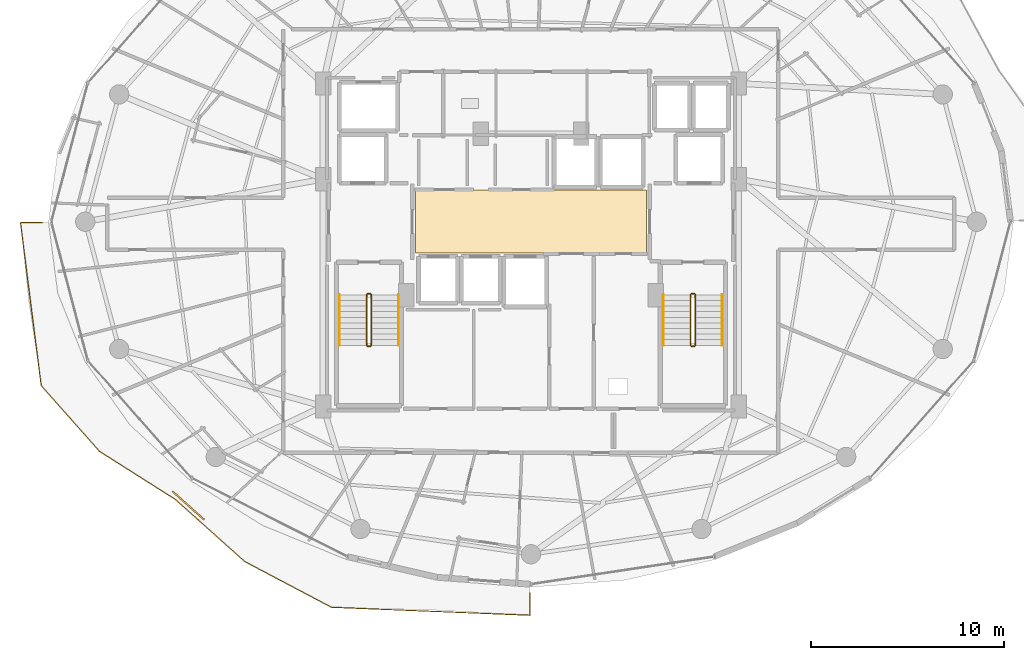
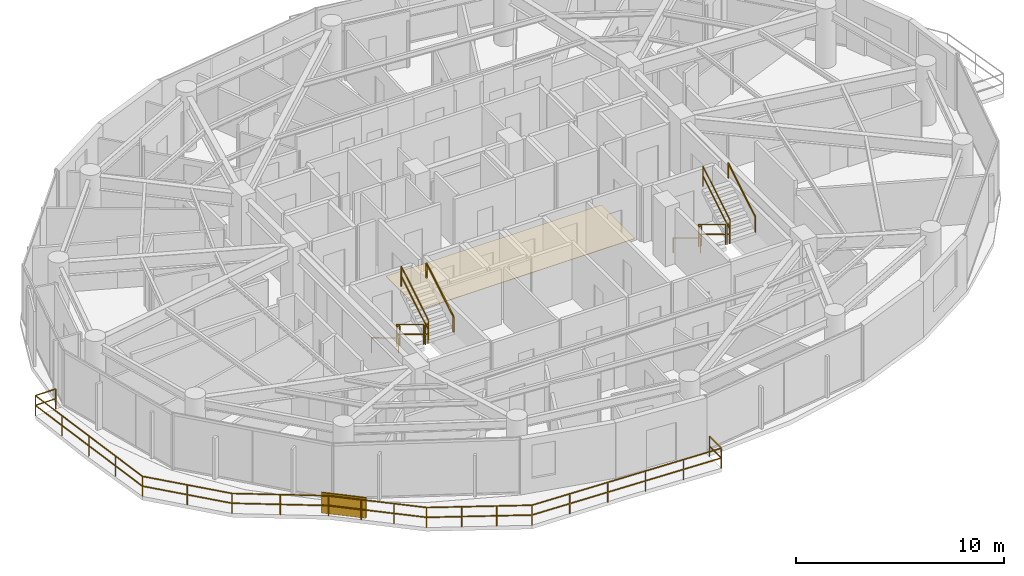
# One storey, part 26 of 28: 14 railings, 1 covering, 1 shading device.
"""IFC4 building model written with IfcOpenShell, lengths in metres."""

from ifc_helpers import new_model, si_unit, direction, frame, origin, origin_2d, place, context, subcontext, project, spatial, polyline, rectangle, outline, extrude, material, layer, layer_set, type_object, element, save


model = new_model("IFC4")

# Units and contexts
model_context = context("Model", 3, precision=1e-05, world=origin(), true_north=direction((0.0, 1.0)))
body_context = subcontext(model_context, "Body", "Model", "MODEL_VIEW")
ifc_project = project(units=[si_unit("LENGTHUNIT", "METRE"), si_unit("AREAUNIT", "SQUARE_METRE"), si_unit("VOLUMEUNIT", "CUBIC_METRE"), si_unit("PLANEANGLEUNIT", "RADIAN"), si_unit("MASSUNIT", "GRAM", prefix="KILO")], contexts=[model_context])

# Site, building, storey
site_placement = place(None, origin())
site = spatial("IfcSite", under=ifc_project, at=site_placement, CompositionType="ELEMENT")
building_placement = place(site_placement, origin())
building = spatial("IfcBuilding", under=site, at=building_placement, Name="Vorneva Point Tower", CompositionType="ELEMENT")
storey_placement = place(building_placement, frame((0.0, 0.0, 146.60009765625)))
storey = spatial("IfcBuildingStorey", under=building, at=storey_placement, Name="L39", CompositionType="ELEMENT", Elevation=146.60009765625)

# Covering
ifc_material_1 = material(Name="Acoustic wool hospitality carpet", Category="textile")
ifc_layer = layer(ifc_material_1, 0.01806640625)
ifc_layer_set = layer_set([ifc_layer], Name="Acoustic wool hospitality carpet")
covering_type = type_object("IfcCoveringType", Name="COV-FLR-CRP", PredefinedType="FLOORING", material=ifc_layer_set)
covering_placement = place(storey_placement, frame((0.0, 0.0, -0.005126953125)))
element("IfcCovering", 1, at=covering_placement, inside=storey, type_object=covering_type, Name="L39 Lift Lobby Floor Finish", PredefinedType="FLOORING", context=body_context, shape_type="SweptSolid", body=[
    extrude(outline(polyline([(32.02001953125, 24.3701171875), (43.97998046875, 24.3701171875), (43.97998046875, 27.6298828125), (32.02001953125, 27.6298828125), (32.02001953125, 24.3701171875)])), origin(), (0.0, 0.0, 1.0), 0.02294921875),
])

# Railings
ifc_material_2 = material(Name="Pale anodised aluminium", Category="aluminium")
railing_type_1 = type_object("IfcRailingType", Name="RL-BAL-1200", PredefinedType="BALUSTRADE", material=ifc_material_2)
railing_1_placement = place(storey_placement, frame((37.949951171875, 5.647705078125, 0.0)))
element("IfcRailing", 2, at=railing_1_placement, inside=storey, type_object=railing_type_1, Name="L39 Wave Balcony Balustrade SW.1", PredefinedType="BALUSTRADE", context=body_context, shape_type="SweptSolid", body=[
    extrude(rectangle(XDim=0.048095703125, YDim=0.048095703125, at=origin_2d()), frame((0.0, 0.0, 1.17578125), z_axis=(0.0, 1.0, 0.0), x_axis=(-1.0, 0.0, 0.0)), (0.0, 0.0, 1.0), 1.135009765625),
    extrude(rectangle(XDim=0.048095703125, YDim=0.048095703125, at=origin_2d()), frame((0.0, 0.0, 0.60009765625), z_axis=(0.0, 1.0, 0.0), x_axis=(-1.0, 0.0, 0.0)), (0.0, 0.0, 1.0), 1.135009765625),
    extrude(rectangle(XDim=0.0419921875, YDim=0.0419921875, at=origin_2d()), origin(), (0.0, 0.0, 1.0), 1.15185546875),
    extrude(rectangle(XDim=0.0419921875, YDim=0.0419921875, at=origin_2d()), frame((0.0, 1.135009765625, 0.0)), (0.0, 0.0, 1.0), 1.15185546875),
])
railing_2_placement = place(storey_placement, frame((12.73388671875, 25.949951171875, 0.0)))
element("IfcRailing", 3, at=railing_2_placement, inside=storey, type_object=railing_type_1, Name="L39 Wave Balcony Balustrade SW.2", PredefinedType="BALUSTRADE", context=body_context, shape_type="SweptSolid", body=[
    extrude(rectangle(XDim=0.048095703125, YDim=0.048095703125, at=origin_2d()), frame((0.0, 0.0, 1.17578125), z_axis=(-1.0, 0.0, 0.0), x_axis=(0.0, -1.0, 0.0)), (0.0, 0.0, 1.0), 1.1337890625),
    extrude(rectangle(XDim=0.048095703125, YDim=0.048095703125, at=origin_2d()), frame((0.0, 0.0, 0.60009765625), z_axis=(-1.0, 0.0, 0.0), x_axis=(0.0, -1.0, 0.0)), (0.0, 0.0, 1.0), 1.1337890625),
    extrude(rectangle(XDim=0.048095703125, YDim=0.048095703125, at=origin_2d()), frame((-1.1337890625, 0.0, 1.17578125), z_axis=(0.126032686267, -0.992026089371, 0.0), x_axis=(0.992026089371, 0.126032686267, 0.0)), (0.0, 0.0, 1.0), 8.49609375),
    extrude(rectangle(XDim=0.048095703125, YDim=0.048095703125, at=origin_2d()), frame((-1.1337890625, 0.0, 0.60009765625), z_axis=(0.126032686267, -0.992026089371, 0.0), x_axis=(0.992026089371, 0.126032686267, 0.0)), (0.0, 0.0, 1.0), 8.49609375),
    extrude(rectangle(XDim=0.048095703125, YDim=0.048095703125, at=origin_2d()), frame((-0.06298828125, -8.428466796875, 1.17578125), z_axis=(0.663743942906, -0.747959877437, 0.0), x_axis=(0.747959877437, 0.663743942906, 0.0)), (0.0, 0.0, 1.0), 4.548583984375),
    extrude(rectangle(XDim=0.048095703125, YDim=0.048095703125, at=origin_2d()), frame((-0.06298828125, -8.428466796875, 0.60009765625), z_axis=(0.663743942906, -0.747959877437, 0.0), x_axis=(0.747959877437, 0.663743942906, 0.0)), (0.0, 0.0, 1.0), 4.548583984375),
    extrude(rectangle(XDim=0.048095703125, YDim=0.048095703125, at=origin_2d()), frame((2.9560546875, -11.83056640625, 1.17578125), z_axis=(0.844638774344, -0.535336661246, 0.0), x_axis=(0.535336661246, 0.844638774344, 0.0)), (0.0, 0.0, 1.0), 4.632568359375),
    extrude(rectangle(XDim=0.048095703125, YDim=0.048095703125, at=origin_2d()), frame((2.9560546875, -11.83056640625, 0.60009765625), z_axis=(0.844638774344, -0.535336661246, 0.0), x_axis=(0.535336661246, 0.844638774344, 0.0)), (0.0, 0.0, 1.0), 4.632568359375),
    extrude(rectangle(XDim=0.048095703125, YDim=0.048095703125, at=origin_2d()), frame((6.868896484375, -14.310546875, 1.17578125), z_axis=(0.745181726232, -0.666861451045, 0.0), x_axis=(0.666861451045, 0.745181726232, 0.0)), (0.0, 0.0, 1.0), 4.822265625),
    extrude(rectangle(XDim=0.048095703125, YDim=0.048095703125, at=origin_2d()), frame((6.868896484375, -14.310546875, 0.60009765625), z_axis=(0.745181726232, -0.666861451045, 0.0), x_axis=(0.666861451045, 0.745181726232, 0.0)), (0.0, 0.0, 1.0), 4.822265625),
    extrude(rectangle(XDim=0.048095703125, YDim=0.048095703125, at=origin_2d()), frame((10.46240234375, -17.5263671875, 1.17578125), z_axis=(0.884464909332, -0.466606712512, 0.0), x_axis=(0.466606712512, 0.884464909332, 0.0)), (0.0, 0.0, 1.0), 5.063232421875),
    extrude(rectangle(XDim=0.048095703125, YDim=0.048095703125, at=origin_2d()), frame((10.46240234375, -17.5263671875, 0.60009765625), z_axis=(0.884464909332, -0.466606712512, 0.0), x_axis=(0.466606712512, 0.884464909332, 0.0)), (0.0, 0.0, 1.0), 5.063232421875),
    extrude(rectangle(XDim=0.048095703125, YDim=0.048095703125, at=origin_2d()), frame((14.940673828125, -19.888916015625, 1.17578125), z_axis=(0.999191945424, -0.040192738158, 0.0), x_axis=(0.040192738158, 0.999191945424, 0.0)), (0.0, 0.0, 1.0), 10.28369140625),
    extrude(rectangle(XDim=0.048095703125, YDim=0.048095703125, at=origin_2d()), frame((14.940673828125, -19.888916015625, 0.60009765625), z_axis=(0.999191945424, -0.040192738158, 0.0), x_axis=(0.040192738158, 0.999191945424, 0.0)), (0.0, 0.0, 1.0), 10.28369140625),
    extrude(rectangle(XDim=0.0419921875, YDim=0.0419921875, at=origin_2d()), origin(), (0.0, 0.0, 1.0), 1.15185546875),
    extrude(rectangle(XDim=0.0419921875, YDim=0.0419921875, at=origin_2d()), frame((-1.1337890625, 0.0, 0.0)), (0.0, 0.0, 1.0), 1.15185546875),
    extrude(rectangle(XDim=0.0419921875, YDim=0.0419921875, at=origin_2d()), frame((-0.8662109375, -2.107177734375, 0.0)), (0.0, 0.0, 1.0), 1.15185546875),
    extrude(rectangle(XDim=0.0419921875, YDim=0.0419921875, at=origin_2d()), frame((-0.598388671875, -4.21435546875, 0.0)), (0.0, 0.0, 1.0), 1.15185546875),
    extrude(rectangle(XDim=0.0419921875, YDim=0.0419921875, at=origin_2d()), frame((-0.33056640625, -6.3212890625, 0.0)), (0.0, 0.0, 1.0), 1.15185546875),
    extrude(rectangle(XDim=0.0419921875, YDim=0.0419921875, at=origin_2d()), frame((-0.06298828125, -8.428466796875, 0.0)), (0.0, 0.0, 1.0), 1.15185546875),
    extrude(rectangle(XDim=0.0419921875, YDim=0.0419921875, at=origin_2d()), frame((1.446533203125, -10.12939453125, 0.0)), (0.0, 0.0, 1.0), 1.15185546875),
    extrude(rectangle(XDim=0.0419921875, YDim=0.0419921875, at=origin_2d()), frame((2.9560546875, -11.83056640625, 0.0)), (0.0, 0.0, 1.0), 1.15185546875),
    extrude(rectangle(XDim=0.0419921875, YDim=0.0419921875, at=origin_2d()), frame((4.91259765625, -13.070556640625, 0.0)), (0.0, 0.0, 1.0), 1.15185546875),
    extrude(rectangle(XDim=0.0419921875, YDim=0.0419921875, at=origin_2d()), frame((6.868896484375, -14.310546875, 0.0)), (0.0, 0.0, 1.0), 1.15185546875),
    extrude(rectangle(XDim=0.0419921875, YDim=0.0419921875, at=origin_2d()), frame((8.066650390625, -15.382568359375, 0.0)), (0.0, 0.0, 1.0), 1.15185546875),
    extrude(rectangle(XDim=0.0419921875, YDim=0.0419921875, at=origin_2d()), frame((9.2646484375, -16.454345703125, 0.0)), (0.0, 0.0, 1.0), 1.15185546875),
    extrude(rectangle(XDim=0.0419921875, YDim=0.0419921875, at=origin_2d()), frame((10.46240234375, -17.5263671875, 0.0)), (0.0, 0.0, 1.0), 1.15185546875),
    extrude(rectangle(XDim=0.0419921875, YDim=0.0419921875, at=origin_2d()), frame((11.955078125, -18.31396484375, 0.0)), (0.0, 0.0, 1.0), 1.15185546875),
    extrude(rectangle(XDim=0.0419921875, YDim=0.0419921875, at=origin_2d()), frame((13.447998046875, -19.101318359375, 0.0)), (0.0, 0.0, 1.0), 1.15185546875),
    extrude(rectangle(XDim=0.0419921875, YDim=0.0419921875, at=origin_2d()), frame((14.940673828125, -19.888916015625, 0.0)), (0.0, 0.0, 1.0), 1.15185546875),
    extrude(rectangle(XDim=0.0419921875, YDim=0.0419921875, at=origin_2d()), frame((16.995849609375, -19.9716796875, 0.0)), (0.0, 0.0, 1.0), 1.15185546875),
    extrude(rectangle(XDim=0.0419921875, YDim=0.0419921875, at=origin_2d()), frame((19.05078125, -20.05419921875, 0.0)), (0.0, 0.0, 1.0), 1.15185546875),
    extrude(rectangle(XDim=0.0419921875, YDim=0.0419921875, at=origin_2d()), frame((21.10595703125, -20.136962890625, 0.0)), (0.0, 0.0, 1.0), 1.15185546875),
    extrude(rectangle(XDim=0.0419921875, YDim=0.0419921875, at=origin_2d()), frame((23.160888671875, -20.219482421875, 0.0)), (0.0, 0.0, 1.0), 1.15185546875),
    extrude(rectangle(XDim=0.0419921875, YDim=0.0419921875, at=origin_2d()), frame((25.216064453125, -20.30224609375, 0.0)), (0.0, 0.0, 1.0), 1.15185546875),
])
ifc_material_3 = material(Name="Brushed stainless steel S304", Category="steel")
railing_type_2 = type_object("IfcRailingType", Name="RL-HND-920", PredefinedType="HANDRAIL", material=ifc_material_3)
railing_3_placement = place(storey_placement, frame((28.10009765625, 22.219970703125, 0.1748046875)))
element("IfcRailing", 4, at=railing_3_placement, inside=storey, type_object=railing_type_2, Name="L39 ST1 stair handrail 1", PredefinedType="HANDRAIL", context=body_context, shape_type="SweptSolid", body=[
    extrude(rectangle(XDim=0.048095703125, YDim=0.048095703125, at=origin_2d()), frame((0.0, 0.0, 0.8759765625), z_axis=(0.0, -0.856147343639, 0.516731773728), x_axis=(1.0, 0.0, 0.0)), (0.0, 0.0, 1.0), 3.04833984375),
    extrude(rectangle(XDim=0.0419921875, YDim=0.0419921875, at=origin_2d()), origin(), (0.0, 0.0, 1.0), 0.851806640625),
    extrude(rectangle(XDim=0.0419921875, YDim=0.0419921875, at=origin_2d()), frame((0.0, -2.60986328125, 1.5751953125)), (0.0, 0.0, 1.0), 0.851806640625),
])
railing_4_placement = place(storey_placement, frame((31.14990234375, 19.610107421875, 1.9248046875)))
element("IfcRailing", 5, at=railing_4_placement, inside=storey, type_object=railing_type_2, Name="L39 ST1 stair handrail 2", PredefinedType="HANDRAIL", context=body_context, shape_type="SweptSolid", body=[
    extrude(rectangle(XDim=0.048095703125, YDim=0.048095703125, at=origin_2d()), frame((0.0, 0.0, 0.8759765625), z_axis=(0.0, 0.856147343639, 0.516731773728), x_axis=(-1.0, 0.0, 0.0)), (0.0, 0.0, 1.0), 3.04833984375),
    extrude(rectangle(XDim=0.0419921875, YDim=0.0419921875, at=origin_2d()), origin(), (0.0, 0.0, 1.0), 0.851806640625),
    extrude(rectangle(XDim=0.0419921875, YDim=0.0419921875, at=origin_2d()), frame((0.0, 2.60986328125, 1.5751953125)), (0.0, 0.0, 1.0), 0.851806640625),
])
railing_5_placement = place(storey_placement, frame((44.85009765625, 22.219970703125, 0.1748046875)))
element("IfcRailing", 6, at=railing_5_placement, inside=storey, type_object=railing_type_2, Name="L39 ST2 stair handrail 1", PredefinedType="HANDRAIL", context=body_context, shape_type="SweptSolid", body=[
    extrude(rectangle(XDim=0.048095703125, YDim=0.048095703125, at=origin_2d()), frame((0.0, 0.0, 0.8759765625), z_axis=(0.0, -0.856147343639, 0.516731773728), x_axis=(1.0, 0.0, 0.0)), (0.0, 0.0, 1.0), 3.04833984375),
    extrude(rectangle(XDim=0.0419921875, YDim=0.0419921875, at=origin_2d()), origin(), (0.0, 0.0, 1.0), 0.851806640625),
    extrude(rectangle(XDim=0.0419921875, YDim=0.0419921875, at=origin_2d()), frame((0.0, -2.60986328125, 1.5751953125)), (0.0, 0.0, 1.0), 0.851806640625),
])
railing_6_placement = place(storey_placement, frame((47.89990234375, 19.610107421875, 1.9248046875)))
element("IfcRailing", 7, at=railing_6_placement, inside=storey, type_object=railing_type_2, Name="L39 ST2 stair handrail 2", PredefinedType="HANDRAIL", context=body_context, shape_type="SweptSolid", body=[
    extrude(rectangle(XDim=0.048095703125, YDim=0.048095703125, at=origin_2d()), frame((0.0, 0.0, 0.8759765625), z_axis=(0.0, 0.856147343639, 0.516731773728), x_axis=(-1.0, 0.0, 0.0)), (0.0, 0.0, 1.0), 3.04833984375),
    extrude(rectangle(XDim=0.0419921875, YDim=0.0419921875, at=origin_2d()), origin(), (0.0, 0.0, 1.0), 0.851806640625),
    extrude(rectangle(XDim=0.0419921875, YDim=0.0419921875, at=origin_2d()), frame((0.0, 2.60986328125, 1.5751953125)), (0.0, 0.0, 1.0), 0.851806640625),
])
railing_type_3 = type_object("IfcRailingType", Name="RL-STG-1100", PredefinedType="GUARDRAIL", material=ifc_material_3)
railing_7_placement = place(storey_placement, frame((29.5, 22.219970703125, 0.1748046875)))
element("IfcRailing", 8, at=railing_7_placement, inside=storey, type_object=railing_type_3, Name="L39 ST1 stair guard 1", PredefinedType="GUARDRAIL", context=body_context, shape_type="SweptSolid", body=[
    extrude(rectangle(XDim=0.048095703125, YDim=0.048095703125, at=origin_2d()), frame((0.0, 0.0, 1.17578125), z_axis=(0.0, -0.856147343639, 0.516731773728), x_axis=(1.0, 0.0, 0.0)), (0.0, 0.0, 1.0), 3.04833984375),
    extrude(rectangle(XDim=0.048095703125, YDim=0.048095703125, at=origin_2d()), frame((0.0, 0.0, 0.60009765625), z_axis=(0.0, -0.856147343639, 0.516731773728), x_axis=(1.0, 0.0, 0.0)), (0.0, 0.0, 1.0), 3.04833984375),
    extrude(rectangle(XDim=0.0419921875, YDim=0.0419921875, at=origin_2d()), origin(), (0.0, 0.0, 1.0), 1.15185546875),
    extrude(rectangle(XDim=0.0419921875, YDim=0.0419921875, at=origin_2d()), frame((0.0, -2.60986328125, 1.5751953125)), (0.0, 0.0, 1.0), 1.15185546875),
])
railing_8_placement = place(storey_placement, frame((29.550048828125, 19.56005859375, 1.75)))
element("IfcRailing", 9, at=railing_8_placement, inside=storey, type_object=railing_type_3, Name="L39 ST1 stair guard 2", PredefinedType="GUARDRAIL", context=body_context, shape_type="SweptSolid", body=[
    extrude(rectangle(XDim=0.048095703125, YDim=0.048095703125, at=origin_2d()), frame((0.0, 0.0, 1.17578125), z_axis=(1.0, 0.0, 0.0), x_axis=(0.0, 1.0, 0.0)), (0.0, 0.0, 1.0), 0.14990234375),
    extrude(rectangle(XDim=0.048095703125, YDim=0.048095703125, at=origin_2d()), frame((0.0, 0.0, 0.60009765625), z_axis=(1.0, 0.0, 0.0), x_axis=(0.0, 1.0, 0.0)), (0.0, 0.0, 1.0), 0.14990234375),
    extrude(rectangle(XDim=0.0419921875, YDim=0.0419921875, at=origin_2d()), origin(), (0.0, 0.0, 1.0), 1.15185546875),
    extrude(rectangle(XDim=0.0419921875, YDim=0.0419921875, at=origin_2d()), frame((0.14990234375, 0.0, 0.0)), (0.0, 0.0, 1.0), 1.15185546875),
])
railing_9_placement = place(storey_placement, frame((29.75, 19.610107421875, 1.9248046875)))
element("IfcRailing", 10, at=railing_9_placement, inside=storey, type_object=railing_type_3, Name="L39 ST1 stair guard 3", PredefinedType="GUARDRAIL", context=body_context, shape_type="SweptSolid", body=[
    extrude(rectangle(XDim=0.048095703125, YDim=0.048095703125, at=origin_2d()), frame((0.0, 0.0, 1.17578125), z_axis=(0.0, 0.856147343639, 0.516731773728), x_axis=(-1.0, 0.0, 0.0)), (0.0, 0.0, 1.0), 3.04833984375),
    extrude(rectangle(XDim=0.048095703125, YDim=0.048095703125, at=origin_2d()), frame((0.0, 0.0, 0.60009765625), z_axis=(0.0, 0.856147343639, 0.516731773728), x_axis=(-1.0, 0.0, 0.0)), (0.0, 0.0, 1.0), 3.04833984375),
    extrude(rectangle(XDim=0.0419921875, YDim=0.0419921875, at=origin_2d()), origin(), (0.0, 0.0, 1.0), 1.15185546875),
    extrude(rectangle(XDim=0.0419921875, YDim=0.0419921875, at=origin_2d()), frame((0.0, 2.60986328125, 1.5751953125)), (0.0, 0.0, 1.0), 1.15185546875),
])
railing_10_placement = place(storey_placement, frame((29.550048828125, 22.27001953125, 0.0)))
element("IfcRailing", 11, at=railing_10_placement, inside=storey, type_object=railing_type_3, Name="L39 ST1 stair guard 4", PredefinedType="GUARDRAIL", context=body_context, shape_type="SweptSolid", body=[
    extrude(rectangle(XDim=0.048095703125, YDim=0.048095703125, at=origin_2d()), frame((0.0, 0.0, 1.17578125), z_axis=(1.0, 0.0, 0.0), x_axis=(0.0, 1.0, 0.0)), (0.0, 0.0, 1.0), 0.14990234375),
    extrude(rectangle(XDim=0.048095703125, YDim=0.048095703125, at=origin_2d()), frame((0.0, 0.0, 0.60009765625), z_axis=(1.0, 0.0, 0.0), x_axis=(0.0, 1.0, 0.0)), (0.0, 0.0, 1.0), 0.14990234375),
    extrude(rectangle(XDim=0.0419921875, YDim=0.0419921875, at=origin_2d()), origin(), (0.0, 0.0, 1.0), 1.15185546875),
    extrude(rectangle(XDim=0.0419921875, YDim=0.0419921875, at=origin_2d()), frame((0.14990234375, 0.0, 0.0)), (0.0, 0.0, 1.0), 1.15185546875),
])
railing_11_placement = place(storey_placement, frame((46.25, 22.219970703125, 0.1748046875)))
element("IfcRailing", 12, at=railing_11_placement, inside=storey, type_object=railing_type_3, Name="L39 ST2 stair guard 1", PredefinedType="GUARDRAIL", context=body_context, shape_type="SweptSolid", body=[
    extrude(rectangle(XDim=0.048095703125, YDim=0.048095703125, at=origin_2d()), frame((0.0, 0.0, 1.17578125), z_axis=(0.0, -0.856147343639, 0.516731773728), x_axis=(1.0, 0.0, 0.0)), (0.0, 0.0, 1.0), 3.04833984375),
    extrude(rectangle(XDim=0.048095703125, YDim=0.048095703125, at=origin_2d()), frame((0.0, 0.0, 0.60009765625), z_axis=(0.0, -0.856147343639, 0.516731773728), x_axis=(1.0, 0.0, 0.0)), (0.0, 0.0, 1.0), 3.04833984375),
    extrude(rectangle(XDim=0.0419921875, YDim=0.0419921875, at=origin_2d()), origin(), (0.0, 0.0, 1.0), 1.15185546875),
    extrude(rectangle(XDim=0.0419921875, YDim=0.0419921875, at=origin_2d()), frame((0.0, -2.60986328125, 1.5751953125)), (0.0, 0.0, 1.0), 1.15185546875),
])
railing_12_placement = place(storey_placement, frame((46.300048828125, 19.56005859375, 1.75)))
element("IfcRailing", 13, at=railing_12_placement, inside=storey, type_object=railing_type_3, Name="L39 ST2 stair guard 2", PredefinedType="GUARDRAIL", context=body_context, shape_type="SweptSolid", body=[
    extrude(rectangle(XDim=0.048095703125, YDim=0.048095703125, at=origin_2d()), frame((0.0, 0.0, 1.17578125), z_axis=(1.0, 0.0, 0.0), x_axis=(0.0, 1.0, 0.0)), (0.0, 0.0, 1.0), 0.14990234375),
    extrude(rectangle(XDim=0.048095703125, YDim=0.048095703125, at=origin_2d()), frame((0.0, 0.0, 0.60009765625), z_axis=(1.0, 0.0, 0.0), x_axis=(0.0, 1.0, 0.0)), (0.0, 0.0, 1.0), 0.14990234375),
    extrude(rectangle(XDim=0.0419921875, YDim=0.0419921875, at=origin_2d()), origin(), (0.0, 0.0, 1.0), 1.15185546875),
    extrude(rectangle(XDim=0.0419921875, YDim=0.0419921875, at=origin_2d()), frame((0.14990234375, 0.0, 0.0)), (0.0, 0.0, 1.0), 1.15185546875),
])
railing_13_placement = place(storey_placement, frame((46.5, 19.610107421875, 1.9248046875)))
element("IfcRailing", 14, at=railing_13_placement, inside=storey, type_object=railing_type_3, Name="L39 ST2 stair guard 3", PredefinedType="GUARDRAIL", context=body_context, shape_type="SweptSolid", body=[
    extrude(rectangle(XDim=0.048095703125, YDim=0.048095703125, at=origin_2d()), frame((0.0, 0.0, 1.17578125), z_axis=(0.0, 0.856147343639, 0.516731773728), x_axis=(-1.0, 0.0, 0.0)), (0.0, 0.0, 1.0), 3.04833984375),
    extrude(rectangle(XDim=0.048095703125, YDim=0.048095703125, at=origin_2d()), frame((0.0, 0.0, 0.60009765625), z_axis=(0.0, 0.856147343639, 0.516731773728), x_axis=(-1.0, 0.0, 0.0)), (0.0, 0.0, 1.0), 3.04833984375),
    extrude(rectangle(XDim=0.0419921875, YDim=0.0419921875, at=origin_2d()), origin(), (0.0, 0.0, 1.0), 1.15185546875),
    extrude(rectangle(XDim=0.0419921875, YDim=0.0419921875, at=origin_2d()), frame((0.0, 2.60986328125, 1.5751953125)), (0.0, 0.0, 1.0), 1.15185546875),
])
railing_14_placement = place(storey_placement, frame((46.300048828125, 22.27001953125, 0.0)))
element("IfcRailing", 15, at=railing_14_placement, inside=storey, type_object=railing_type_3, Name="L39 ST2 stair guard 4", PredefinedType="GUARDRAIL", context=body_context, shape_type="SweptSolid", body=[
    extrude(rectangle(XDim=0.048095703125, YDim=0.048095703125, at=origin_2d()), frame((0.0, 0.0, 1.17578125), z_axis=(1.0, 0.0, 0.0), x_axis=(0.0, 1.0, 0.0)), (0.0, 0.0, 1.0), 0.14990234375),
    extrude(rectangle(XDim=0.048095703125, YDim=0.048095703125, at=origin_2d()), frame((0.0, 0.0, 0.60009765625), z_axis=(1.0, 0.0, 0.0), x_axis=(0.0, 1.0, 0.0)), (0.0, 0.0, 1.0), 0.14990234375),
    extrude(rectangle(XDim=0.0419921875, YDim=0.0419921875, at=origin_2d()), origin(), (0.0, 0.0, 1.0), 1.15185546875),
    extrude(rectangle(XDim=0.0419921875, YDim=0.0419921875, at=origin_2d()), frame((0.14990234375, 0.0, 0.0)), (0.0, 0.0, 1.0), 1.15185546875),
])

# Shading device
shading_device_type = type_object("IfcShadingDeviceType", Name="SHD-JAL-1200", PredefinedType="JALOUSIE", material=ifc_material_2)
shading_device_placement = place(storey_placement, frame((20.278076171875, 11.3271484375, -0.02001953125), z_axis=(0.0, 0.0, 1.0), x_axis=(0.745173460098, -0.666870687889, 0.0)))
element("IfcShadingDevice", 16, at=shading_device_placement, inside=storey, type_object=shading_device_type, Name="L39 Balcony Vertical-Greenery Planter Screen SW.2", PredefinedType="JALOUSIE", context=body_context, shape_type="SweptSolid", body=[
    extrude(rectangle(XDim=2.199951171875, YDim=0.080078125, at=origin_2d()), origin(), (0.0, 0.0, 1.0), 1.199951171875),
])

save(model, "model.ifc")
